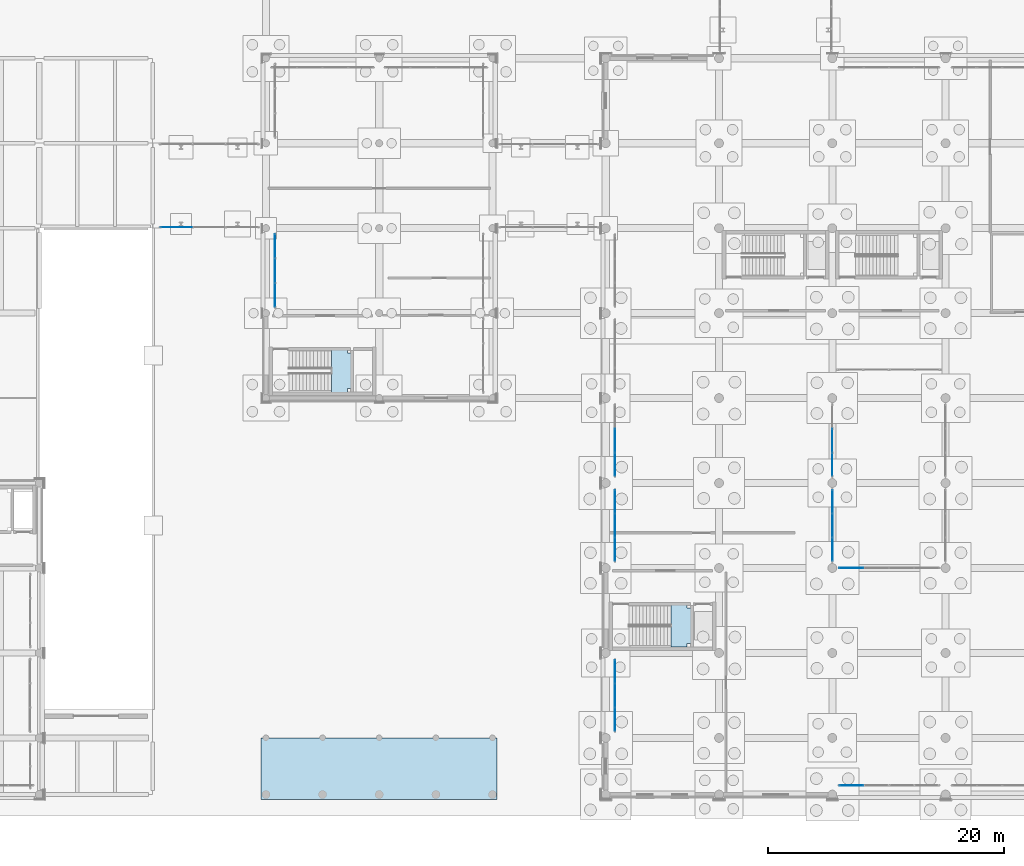
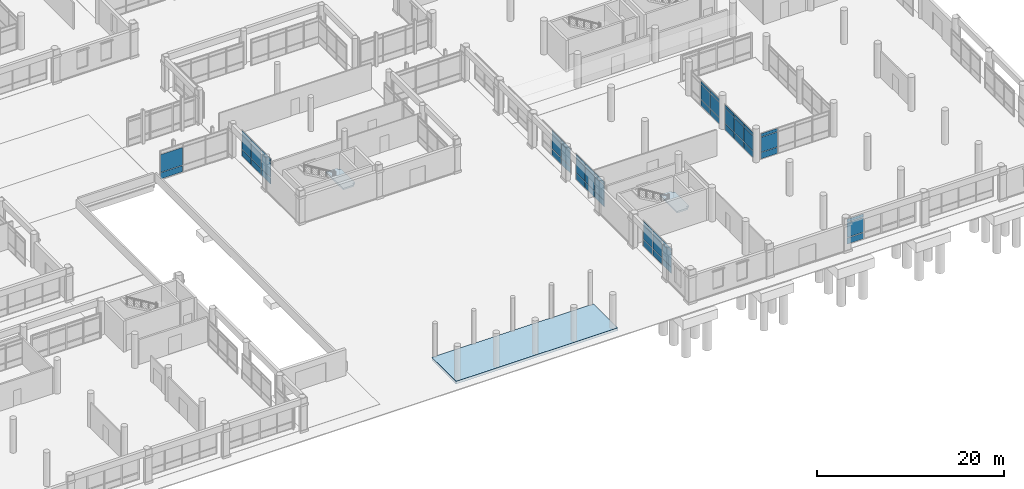
# One storey, part 145 of 196: 56 plates, 3 slabs, 11 elements without a shape of their own.
"""IFC4 building model written with IfcOpenShell, lengths in metres."""

from ifc_helpers import new_model, si_unit, direction, frame, origin, origin_2d, place, context, subcontext, project, spatial, polyline, rectangle, outline, extrude, material, layer, layer_set, type_object, element, aggregate, save


model = new_model("IFC4")

# Units and contexts
model_context = context("Model", 3, precision=1e-05, world=origin(), true_north=direction((0.0, 1.0)))
body_context = subcontext(model_context, "Body", "Model", "MODEL_VIEW")
ifc_project = project(units=[si_unit("LENGTHUNIT", "METRE"), si_unit("AREAUNIT", "SQUARE_METRE"), si_unit("VOLUMEUNIT", "CUBIC_METRE"), si_unit("PLANEANGLEUNIT", "RADIAN"), si_unit("MASSUNIT", "GRAM", prefix="KILO")], contexts=[model_context])

# Site, building, storey
site_placement = place(None, origin())
site = spatial("IfcSite", under=ifc_project, at=site_placement, CompositionType="ELEMENT")
building_placement = place(site_placement, origin())
building = spatial("IfcBuilding", under=site, at=building_placement, Name="Asteropetra Specialist Clinic", CompositionType="ELEMENT")
storey_placement = place(building_placement, origin())
storey = spatial("IfcBuildingStorey", under=building, at=storey_placement, Name="L00", CompositionType="ELEMENT", Elevation=0.0)

# Curtain wall, plates
ifc_material_1 = material(Name="Aluminium and low-E glass", Category="aluminium")
ifc_layer_1 = layer(ifc_material_1, 0.135009765625)
ifc_layer_set_1 = layer_set([ifc_layer_1], Name="Aluminium and low-E glass")
curtain_wall_type_1 = type_object("IfcCurtainWallType", Name="CW-SYS-09", PredefinedType="USERDEFINED", material=ifc_layer_set_1)
curtain_wall_1_placement = place(storey_placement, origin())
curtain_wall_1 = element("IfcCurtainWall", 1, at=curtain_wall_1_placement, inside=storey, type_object=curtain_wall_type_1, Name="Curtain Wall CW-192", ObjectType="STICK GLAZED COLONNADE", PredefinedType="USERDEFINED")
ifc_material_2 = material(Name="Low-E double glazing", Category="glass")
ifc_layer_2 = layer(ifc_material_2, 0.028076171875)
ifc_layer_set_2 = layer_set([ifc_layer_2], Name="Low-E double glazing")
plate_type_1 = type_object("IfcPlateType", Name="CWP-GLZ-28", PredefinedType="CURTAIN_PANEL", material=ifc_layer_set_2)
plate_1_placement = place(storey_placement, frame((126.419921875, 0.780029296875, 0.074951171875), z_axis=(0.0, 0.0, 1.0), x_axis=(1.0, 0.0, 0.0)))
plate_1 = element("IfcPlate", 2, at=plate_1_placement, type_object=plate_type_1, Name="CW-192 panel 1.1", PredefinedType="CURTAIN_PANEL", context=body_context, shape_type="SweptSolid", body=[
    extrude(rectangle(XDim=2.02001953125, YDim=0.028076171875, at=origin_2d()), origin(), (0.0, 0.0, 1.0), 0.78759765625),
])
plate_2_placement = place(storey_placement, frame((126.419921875, 0.780029296875, 0.9375), z_axis=(0.0, 0.0, 1.0), x_axis=(1.0, 0.0, 0.0)))
plate_2 = element("IfcPlate", 3, at=plate_2_placement, type_object=plate_type_1, Name="CW-192 panel 1.2", PredefinedType="CURTAIN_PANEL", context=body_context, shape_type="SweptSolid", body=[
    extrude(rectangle(XDim=2.02001953125, YDim=0.028076171875, at=origin_2d()), origin(), (0.0, 0.0, 1.0), 1.925048828125),
])
plate_3_placement = place(storey_placement, frame((126.419921875, 0.780029296875, 2.9375), z_axis=(0.0, 0.0, 1.0), x_axis=(1.0, 0.0, 0.0)))
plate_3 = element("IfcPlate", 4, at=plate_3_placement, type_object=plate_type_1, Name="CW-192 panel 1.3", PredefinedType="CURTAIN_PANEL", context=body_context, shape_type="SweptSolid", body=[
    extrude(rectangle(XDim=2.02001953125, YDim=0.028076171875, at=origin_2d()), origin(), (0.0, 0.0, 1.0), 0.387451171875),
])
aggregate(curtain_wall_1, [plate_1, plate_2, plate_3])

ifc_material_3 = material(Name="Aluminium and low-E glass", Category="aluminium")
ifc_layer_3 = layer(ifc_material_3, 0.179931640625)
ifc_layer_set_3 = layer_set([ifc_layer_3], Name="Aluminium and low-E glass")
curtain_wall_type_2 = type_object("IfcCurtainWallType", Name="CW-SYS-10", PredefinedType="USERDEFINED", material=ifc_layer_set_3)
curtain_wall_2_placement = place(storey_placement, origin())
curtain_wall_2 = element("IfcCurtainWall", 5, at=curtain_wall_2_placement, inside=storey, type_object=curtain_wall_type_2, Name="Curtain Wall CW-196", ObjectType="STICK GLAZED COLONNADE", PredefinedType="USERDEFINED")
plate_4_placement = place(storey_placement, frame((106.3798828125, 10.427001953125, 0.06494140625), z_axis=(0.0, 0.0, 1.0), x_axis=(0.0, -1.0, 0.0)))
plate_4 = element("IfcPlate", 6, at=plate_4_placement, type_object=plate_type_1, Name="CW-196 panel 1.1", PredefinedType="CURTAIN_PANEL", context=body_context, shape_type="SweptSolid", body=[
    extrude(rectangle(XDim=1.94580078125, YDim=0.028076171875, at=origin_2d()), origin(), (0.0, 0.0, 1.0), 0.802490234375),
])
plate_5_placement = place(storey_placement, frame((106.3798828125, 10.427001953125, 0.932373046875), z_axis=(0.0, 0.0, 1.0), x_axis=(0.0, -1.0, 0.0)))
plate_5 = element("IfcPlate", 7, at=plate_5_placement, type_object=plate_type_1, Name="CW-196 panel 1.2", PredefinedType="CURTAIN_PANEL", context=body_context, shape_type="SweptSolid", body=[
    extrude(rectangle(XDim=1.94580078125, YDim=0.028076171875, at=origin_2d()), origin(), (0.0, 0.0, 1.0), 1.93505859375),
])
plate_6_placement = place(storey_placement, frame((106.3798828125, 10.427001953125, 2.9326171875), z_axis=(0.0, 0.0, 1.0), x_axis=(0.0, -1.0, 0.0)))
plate_6 = element("IfcPlate", 8, at=plate_6_placement, type_object=plate_type_1, Name="CW-196 panel 1.3", PredefinedType="CURTAIN_PANEL", context=body_context, shape_type="SweptSolid", body=[
    extrude(rectangle(XDim=1.94580078125, YDim=0.028076171875, at=origin_2d()), origin(), (0.0, 0.0, 1.0), 0.402587890625),
])
plate_7_placement = place(storey_placement, frame((106.3798828125, 8.39990234375, 0.06494140625), z_axis=(0.0, 0.0, 1.0), x_axis=(0.0, -1.0, 0.0)))
plate_7 = element("IfcPlate", 9, at=plate_7_placement, type_object=plate_type_1, Name="CW-196 panel 2.1", PredefinedType="CURTAIN_PANEL", context=body_context, shape_type="SweptSolid", body=[
    extrude(rectangle(XDim=1.978271484375, YDim=0.028076171875, at=origin_2d()), origin(), (0.0, 0.0, 1.0), 0.802490234375),
])
plate_8_placement = place(storey_placement, frame((106.3798828125, 8.39990234375, 0.932373046875), z_axis=(0.0, 0.0, 1.0), x_axis=(0.0, -1.0, 0.0)))
plate_8 = element("IfcPlate", 10, at=plate_8_placement, type_object=plate_type_1, Name="CW-196 panel 2.2", PredefinedType="CURTAIN_PANEL", context=body_context, shape_type="SweptSolid", body=[
    extrude(rectangle(XDim=1.978271484375, YDim=0.028076171875, at=origin_2d()), origin(), (0.0, 0.0, 1.0), 1.93505859375),
])
plate_9_placement = place(storey_placement, frame((106.3798828125, 8.39990234375, 2.9326171875), z_axis=(0.0, 0.0, 1.0), x_axis=(0.0, -1.0, 0.0)))
plate_9 = element("IfcPlate", 11, at=plate_9_placement, type_object=plate_type_1, Name="CW-196 panel 2.3", PredefinedType="CURTAIN_PANEL", context=body_context, shape_type="SweptSolid", body=[
    extrude(rectangle(XDim=1.978271484375, YDim=0.028076171875, at=origin_2d()), origin(), (0.0, 0.0, 1.0), 0.402587890625),
])
plate_10_placement = place(storey_placement, frame((106.3798828125, 6.372802734375, 0.06494140625), z_axis=(0.0, 0.0, 1.0), x_axis=(0.0, -1.0, 0.0)))
plate_10 = element("IfcPlate", 12, at=plate_10_placement, type_object=plate_type_1, Name="CW-196 panel 3.1", PredefinedType="CURTAIN_PANEL", context=body_context, shape_type="SweptSolid", body=[
    extrude(rectangle(XDim=1.94580078125, YDim=0.028076171875, at=origin_2d()), origin(), (0.0, 0.0, 1.0), 0.802490234375),
])
plate_11_placement = place(storey_placement, frame((106.3798828125, 6.372802734375, 0.932373046875), z_axis=(0.0, 0.0, 1.0), x_axis=(0.0, -1.0, 0.0)))
plate_11 = element("IfcPlate", 13, at=plate_11_placement, type_object=plate_type_1, Name="CW-196 panel 3.2", PredefinedType="CURTAIN_PANEL", context=body_context, shape_type="SweptSolid", body=[
    extrude(rectangle(XDim=1.94580078125, YDim=0.028076171875, at=origin_2d()), origin(), (0.0, 0.0, 1.0), 1.93505859375),
])
plate_12_placement = place(storey_placement, frame((106.3798828125, 6.372802734375, 2.9326171875), z_axis=(0.0, 0.0, 1.0), x_axis=(0.0, -1.0, 0.0)))
plate_12 = element("IfcPlate", 14, at=plate_12_placement, type_object=plate_type_1, Name="CW-196 panel 3.3", PredefinedType="CURTAIN_PANEL", context=body_context, shape_type="SweptSolid", body=[
    extrude(rectangle(XDim=1.94580078125, YDim=0.028076171875, at=origin_2d()), origin(), (0.0, 0.0, 1.0), 0.402587890625),
])
aggregate(curtain_wall_2, [plate_4, plate_5, plate_6, plate_7, plate_8, plate_9, plate_10, plate_11, plate_12])

ifc_material_4 = material(Name="Aluminium and low-E glass", Category="aluminium")
ifc_layer_4 = layer(ifc_material_4, 0.14990234375)
ifc_layer_set_4 = layer_set([ifc_layer_4], Name="Aluminium and low-E glass")
curtain_wall_type_3 = type_object("IfcCurtainWallType", Name="CW-SYS-08", PredefinedType="USERDEFINED", material=ifc_layer_set_4)
curtain_wall_3_placement = place(storey_placement, origin())
curtain_wall_3 = element("IfcCurtainWall", 15, at=curtain_wall_3_placement, inside=storey, type_object=curtain_wall_type_3, Name="Curtain Wall CW-065", ObjectType="STICK GLAZED COLONNADE", PredefinedType="USERDEFINED")
ifc_material_5 = material(Name="Low-E acoustic double glazing", Category="glass")
ifc_layer_5 = layer(ifc_material_5, 0.031982421875)
ifc_layer_set_5 = layer_set([ifc_layer_5], Name="Low-E acoustic double glazing")
plate_type_2 = type_object("IfcPlateType", Name="CWP-GLZ-32", PredefinedType="CURTAIN_PANEL", material=ifc_layer_set_5)
plate_13_placement = place(storey_placement, frame((126.416259765625, 19.199951171875, 0.06005859375), z_axis=(0.0, 0.0, 1.0), x_axis=(1.0, 0.0, 0.0)))
plate_13 = element("IfcPlate", 16, at=plate_13_placement, type_object=plate_type_2, Name="CW-065 panel 1.1", PredefinedType="CURTAIN_PANEL", context=body_context, shape_type="SweptSolid", body=[
    extrude(rectangle(XDim=2.04248046875, YDim=0.031982421875, at=origin_2d()), origin(), (0.0, 0.0, 1.0), 0.81005859375),
])
plate_14_placement = place(storey_placement, frame((126.416259765625, 19.199951171875, 0.929931640625), z_axis=(0.0, 0.0, 1.0), x_axis=(1.0, 0.0, 0.0)))
plate_14 = element("IfcPlate", 17, at=plate_14_placement, type_object=plate_type_2, Name="CW-065 panel 1.2", PredefinedType="CURTAIN_PANEL", context=body_context, shape_type="SweptSolid", body=[
    extrude(rectangle(XDim=2.04248046875, YDim=0.031982421875, at=origin_2d()), origin(), (0.0, 0.0, 1.0), 1.93994140625),
])
plate_15_placement = place(storey_placement, frame((126.416259765625, 19.199951171875, 2.93017578125), z_axis=(0.0, 0.0, 1.0), x_axis=(1.0, 0.0, 0.0)))
plate_15 = element("IfcPlate", 18, at=plate_15_placement, type_object=plate_type_2, Name="CW-065 panel 1.3", PredefinedType="CURTAIN_PANEL", context=body_context, shape_type="SweptSolid", body=[
    extrude(rectangle(XDim=2.04248046875, YDim=0.031982421875, at=origin_2d()), origin(), (0.0, 0.0, 1.0), 0.409912109375),
])
aggregate(curtain_wall_3, [plate_13, plate_14, plate_15])

ifc_material_6 = material(Name="Aluminium and low-E glass", Category="aluminium")
ifc_layer_6 = layer(ifc_material_6, 0.14990234375)
ifc_layer_set_6 = layer_set([ifc_layer_6], Name="Aluminium and low-E glass")
curtain_wall_type_4 = type_object("IfcCurtainWallType", Name="CW-SYS-11", PredefinedType="USERDEFINED", material=ifc_layer_set_6)
curtain_wall_4_placement = place(storey_placement, origin())
curtain_wall_4 = element("IfcCurtainWall", 19, at=curtain_wall_4_placement, inside=storey, type_object=curtain_wall_type_4, Name="Curtain Wall CW-069", ObjectType="STICK GLAZED COLONNADE", PredefinedType="USERDEFINED")
plate_16_placement = place(storey_placement, frame((124.800048828125, 30.0, 0.074951171875), z_axis=(0.0, 0.0, 1.0), x_axis=(0.0, -1.0, 0.0)))
plate_16 = element("IfcPlate", 20, at=plate_16_placement, type_object=plate_type_2, Name="CW-069 panel 2.1", PredefinedType="CURTAIN_PANEL", context=body_context, shape_type="SweptSolid", body=[
    extrude(rectangle(XDim=1.96826171875, YDim=0.031982421875, at=origin_2d()), origin(), (0.0, 0.0, 1.0), 0.78759765625),
])
plate_17_placement = place(storey_placement, frame((124.800048828125, 30.0, 0.9375), z_axis=(0.0, 0.0, 1.0), x_axis=(0.0, -1.0, 0.0)))
plate_17 = element("IfcPlate", 21, at=plate_17_placement, type_object=plate_type_2, Name="CW-069 panel 2.2", PredefinedType="CURTAIN_PANEL", context=body_context, shape_type="SweptSolid", body=[
    extrude(rectangle(XDim=1.96826171875, YDim=0.031982421875, at=origin_2d()), origin(), (0.0, 0.0, 1.0), 1.925048828125),
])
plate_18_placement = place(storey_placement, frame((124.800048828125, 30.0, 2.9375), z_axis=(0.0, 0.0, 1.0), x_axis=(0.0, -1.0, 0.0)))
plate_18 = element("IfcPlate", 22, at=plate_18_placement, type_object=plate_type_2, Name="CW-069 panel 2.3", PredefinedType="CURTAIN_PANEL", context=body_context, shape_type="SweptSolid", body=[
    extrude(rectangle(XDim=1.96826171875, YDim=0.031982421875, at=origin_2d()), origin(), (0.0, 0.0, 1.0), 0.387451171875),
])
plate_19_placement = place(storey_placement, frame((124.800048828125, 27.975341796875, 0.074951171875), z_axis=(0.0, 0.0, 1.0), x_axis=(0.0, -1.0, 0.0)))
plate_19 = element("IfcPlate", 23, at=plate_19_placement, type_object=plate_type_2, Name="CW-069 panel 3.1", PredefinedType="CURTAIN_PANEL", context=body_context, shape_type="SweptSolid", body=[
    extrude(rectangle(XDim=1.930908203125, YDim=0.031982421875, at=origin_2d()), origin(), (0.0, 0.0, 1.0), 0.78759765625),
])
plate_20_placement = place(storey_placement, frame((124.800048828125, 27.975341796875, 0.9375), z_axis=(0.0, 0.0, 1.0), x_axis=(0.0, -1.0, 0.0)))
plate_20 = element("IfcPlate", 24, at=plate_20_placement, type_object=plate_type_2, Name="CW-069 panel 3.2", PredefinedType="CURTAIN_PANEL", context=body_context, shape_type="SweptSolid", body=[
    extrude(rectangle(XDim=1.930908203125, YDim=0.031982421875, at=origin_2d()), origin(), (0.0, 0.0, 1.0), 1.925048828125),
])
plate_21_placement = place(storey_placement, frame((124.800048828125, 27.975341796875, 2.9375), z_axis=(0.0, 0.0, 1.0), x_axis=(0.0, -1.0, 0.0)))
plate_21 = element("IfcPlate", 25, at=plate_21_placement, type_object=plate_type_2, Name="CW-069 panel 3.3", PredefinedType="CURTAIN_PANEL", context=body_context, shape_type="SweptSolid", body=[
    extrude(rectangle(XDim=1.930908203125, YDim=0.031982421875, at=origin_2d()), origin(), (0.0, 0.0, 1.0), 0.387451171875),
])
aggregate(curtain_wall_4, [plate_16, plate_17, plate_18, plate_19, plate_20, plate_21])

ifc_material_7 = material(Name="Aluminium and low-E glass", Category="aluminium")
ifc_layer_7 = layer(ifc_material_7, 0.14990234375)
ifc_layer_set_7 = layer_set([ifc_layer_7], Name="Aluminium and low-E glass")
curtain_wall_type_5 = type_object("IfcCurtainWallType", Name="CW-SYS-02", PredefinedType="USERDEFINED", material=ifc_layer_set_7)
curtain_wall_5_placement = place(storey_placement, origin())
curtain_wall_5 = element("IfcCurtainWall", 26, at=curtain_wall_5_placement, inside=storey, type_object=curtain_wall_type_5, Name="Curtain Wall CW-113", ObjectType="UNITISED CURTAIN WALL", PredefinedType="USERDEFINED")
plate_22_placement = place(storey_placement, frame((69.2216796875, 48.080078125, 0.06005859375), z_axis=(0.0, 0.0, 1.0), x_axis=(1.0, 0.0, 0.0)))
plate_22 = element("IfcPlate", 27, at=plate_22_placement, type_object=plate_type_2, Name="CW-113 panel 1.1", PredefinedType="CURTAIN_PANEL", context=body_context, shape_type="SweptSolid", body=[
    extrude(rectangle(XDim=2.703369140625, YDim=0.031982421875, at=origin_2d()), origin(), (0.0, 0.0, 1.0), 0.81005859375),
])
plate_23_placement = place(storey_placement, frame((69.2216796875, 48.080078125, 0.929931640625), z_axis=(0.0, 0.0, 1.0), x_axis=(1.0, 0.0, 0.0)))
plate_23 = element("IfcPlate", 28, at=plate_23_placement, type_object=plate_type_2, Name="CW-113 panel 1.2", PredefinedType="CURTAIN_PANEL", context=body_context, shape_type="SweptSolid", body=[
    extrude(rectangle(XDim=2.703369140625, YDim=0.031982421875, at=origin_2d()), origin(), (0.0, 0.0, 1.0), 2.31005859375),
])
aggregate(curtain_wall_5, [plate_22, plate_23])

curtain_wall_6_placement = place(storey_placement, origin())
curtain_wall_6 = element("IfcCurtainWall", 29, at=curtain_wall_6_placement, inside=storey, type_object=curtain_wall_type_2, Name="Curtain Wall CW-169", ObjectType="STICK GLAZED COLONNADE", PredefinedType="USERDEFINED")
plate_24_placement = place(storey_placement, frame((77.580078125, 46.47705078125, 0.06494140625), z_axis=(0.0, 0.0, 1.0), x_axis=(0.0, -1.0, 0.0)))
plate_24 = element("IfcPlate", 30, at=plate_24_placement, type_object=plate_type_2, Name="CW-169 panel 1.1", PredefinedType="CURTAIN_PANEL", context=body_context, shape_type="SweptSolid", body=[
    extrude(rectangle(XDim=1.995849609375, YDim=0.031982421875, at=origin_2d()), origin(), (0.0, 0.0, 1.0), 0.802490234375),
])
plate_25_placement = place(storey_placement, frame((77.580078125, 46.47705078125, 0.932373046875), z_axis=(0.0, 0.0, 1.0), x_axis=(0.0, -1.0, 0.0)))
plate_25 = element("IfcPlate", 31, at=plate_25_placement, type_object=plate_type_2, Name="CW-169 panel 1.2", PredefinedType="CURTAIN_PANEL", context=body_context, shape_type="SweptSolid", body=[
    extrude(rectangle(XDim=1.995849609375, YDim=0.031982421875, at=origin_2d()), origin(), (0.0, 0.0, 1.0), 1.97509765625),
])
plate_26_placement = place(storey_placement, frame((77.580078125, 46.47705078125, 2.97265625), z_axis=(0.0, 0.0, 1.0), x_axis=(0.0, -1.0, 0.0)))
plate_26 = element("IfcPlate", 32, at=plate_26_placement, type_object=plate_type_2, Name="CW-169 panel 1.3", PredefinedType="CURTAIN_PANEL", context=body_context, shape_type="SweptSolid", body=[
    extrude(rectangle(XDim=1.995849609375, YDim=0.031982421875, at=origin_2d()), origin(), (0.0, 0.0, 1.0), 0.402587890625),
])
plate_27_placement = place(storey_placement, frame((77.580078125, 44.39990234375, 0.06494140625), z_axis=(0.0, 0.0, 1.0), x_axis=(0.0, -1.0, 0.0)))
plate_27 = element("IfcPlate", 33, at=plate_27_placement, type_object=plate_type_2, Name="CW-169 panel 2.1", PredefinedType="CURTAIN_PANEL", context=body_context, shape_type="SweptSolid", body=[
    extrude(rectangle(XDim=2.0283203125, YDim=0.031982421875, at=origin_2d()), origin(), (0.0, 0.0, 1.0), 0.802490234375),
])
plate_28_placement = place(storey_placement, frame((77.580078125, 44.39990234375, 0.932373046875), z_axis=(0.0, 0.0, 1.0), x_axis=(0.0, -1.0, 0.0)))
plate_28 = element("IfcPlate", 34, at=plate_28_placement, type_object=plate_type_2, Name="CW-169 panel 2.2", PredefinedType="CURTAIN_PANEL", context=body_context, shape_type="SweptSolid", body=[
    extrude(rectangle(XDim=2.0283203125, YDim=0.031982421875, at=origin_2d()), origin(), (0.0, 0.0, 1.0), 1.97509765625),
])
plate_29_placement = place(storey_placement, frame((77.580078125, 44.39990234375, 2.97265625), z_axis=(0.0, 0.0, 1.0), x_axis=(0.0, -1.0, 0.0)))
plate_29 = element("IfcPlate", 35, at=plate_29_placement, type_object=plate_type_2, Name="CW-169 panel 2.3", PredefinedType="CURTAIN_PANEL", context=body_context, shape_type="SweptSolid", body=[
    extrude(rectangle(XDim=2.0283203125, YDim=0.031982421875, at=origin_2d()), origin(), (0.0, 0.0, 1.0), 0.402587890625),
])
plate_30_placement = place(storey_placement, frame((77.580078125, 42.322998046875, 0.06494140625), z_axis=(0.0, 0.0, 1.0), x_axis=(0.0, -1.0, 0.0)))
plate_30 = element("IfcPlate", 36, at=plate_30_placement, type_object=plate_type_2, Name="CW-169 panel 3.1", PredefinedType="CURTAIN_PANEL", context=body_context, shape_type="SweptSolid", body=[
    extrude(rectangle(XDim=1.995849609375, YDim=0.031982421875, at=origin_2d()), origin(), (0.0, 0.0, 1.0), 0.802490234375),
])
plate_31_placement = place(storey_placement, frame((77.580078125, 42.322998046875, 0.932373046875), z_axis=(0.0, 0.0, 1.0), x_axis=(0.0, -1.0, 0.0)))
plate_31 = element("IfcPlate", 37, at=plate_31_placement, type_object=plate_type_2, Name="CW-169 panel 3.2", PredefinedType="CURTAIN_PANEL", context=body_context, shape_type="SweptSolid", body=[
    extrude(rectangle(XDim=1.995849609375, YDim=0.031982421875, at=origin_2d()), origin(), (0.0, 0.0, 1.0), 1.97509765625),
])
plate_32_placement = place(storey_placement, frame((77.580078125, 42.322998046875, 2.97265625), z_axis=(0.0, 0.0, 1.0), x_axis=(0.0, -1.0, 0.0)))
plate_32 = element("IfcPlate", 38, at=plate_32_placement, type_object=plate_type_2, Name="CW-169 panel 3.3", PredefinedType="CURTAIN_PANEL", context=body_context, shape_type="SweptSolid", body=[
    extrude(rectangle(XDim=1.995849609375, YDim=0.031982421875, at=origin_2d()), origin(), (0.0, 0.0, 1.0), 0.402587890625),
])
aggregate(curtain_wall_6, [plate_24, plate_25, plate_26, plate_27, plate_28, plate_29, plate_30, plate_31, plate_32])

ifc_material_8 = material(Name="Aluminium and low-E glass", Category="aluminium")
ifc_layer_8 = layer(ifc_material_8, 0.135009765625)
ifc_layer_set_8 = layer_set([ifc_layer_8], Name="Aluminium and low-E glass")
curtain_wall_type_6 = type_object("IfcCurtainWallType", Name="CW-SYS-12", PredefinedType="USERDEFINED", material=ifc_layer_set_8)
curtain_wall_7_placement = place(storey_placement, origin())
curtain_wall_7 = element("IfcCurtainWall", 39, at=curtain_wall_7_placement, inside=storey, type_object=curtain_wall_type_6, Name="Curtain Wall CW-201", ObjectType="STICK GLAZED COLONNADE", PredefinedType="USERDEFINED")
plate_33_placement = place(storey_placement, frame((106.3798828125, 30.0, 0.074951171875), z_axis=(0.0, 0.0, 1.0), x_axis=(0.0, -1.0, 0.0)))
plate_33 = element("IfcPlate", 40, at=plate_33_placement, type_object=plate_type_2, Name="CW-201 panel 2.1", PredefinedType="CURTAIN_PANEL", context=body_context, shape_type="SweptSolid", body=[
    extrude(rectangle(XDim=1.96826171875, YDim=0.031982421875, at=origin_2d()), origin(), (0.0, 0.0, 1.0), 0.78759765625),
])
plate_34_placement = place(storey_placement, frame((106.3798828125, 30.0, 0.9375), z_axis=(0.0, 0.0, 1.0), x_axis=(0.0, -1.0, 0.0)))
plate_34 = element("IfcPlate", 41, at=plate_34_placement, type_object=plate_type_2, Name="CW-201 panel 2.2", PredefinedType="CURTAIN_PANEL", context=body_context, shape_type="SweptSolid", body=[
    extrude(rectangle(XDim=1.96826171875, YDim=0.031982421875, at=origin_2d()), origin(), (0.0, 0.0, 1.0), 1.925048828125),
])
plate_35_placement = place(storey_placement, frame((106.3798828125, 30.0, 2.9375), z_axis=(0.0, 0.0, 1.0), x_axis=(0.0, -1.0, 0.0)))
plate_35 = element("IfcPlate", 42, at=plate_35_placement, type_object=plate_type_2, Name="CW-201 panel 2.3", PredefinedType="CURTAIN_PANEL", context=body_context, shape_type="SweptSolid", body=[
    extrude(rectangle(XDim=1.96826171875, YDim=0.031982421875, at=origin_2d()), origin(), (0.0, 0.0, 1.0), 0.387451171875),
])
plate_36_placement = place(storey_placement, frame((106.3798828125, 27.975341796875, 0.074951171875), z_axis=(0.0, 0.0, 1.0), x_axis=(0.0, -1.0, 0.0)))
plate_36 = element("IfcPlate", 43, at=plate_36_placement, type_object=plate_type_2, Name="CW-201 panel 3.1", PredefinedType="CURTAIN_PANEL", context=body_context, shape_type="SweptSolid", body=[
    extrude(rectangle(XDim=1.930908203125, YDim=0.031982421875, at=origin_2d()), origin(), (0.0, 0.0, 1.0), 0.78759765625),
])
plate_37_placement = place(storey_placement, frame((106.3798828125, 27.975341796875, 0.9375), z_axis=(0.0, 0.0, 1.0), x_axis=(0.0, -1.0, 0.0)))
plate_37 = element("IfcPlate", 44, at=plate_37_placement, type_object=plate_type_2, Name="CW-201 panel 3.2", PredefinedType="CURTAIN_PANEL", context=body_context, shape_type="SweptSolid", body=[
    extrude(rectangle(XDim=1.930908203125, YDim=0.031982421875, at=origin_2d()), origin(), (0.0, 0.0, 1.0), 1.925048828125),
])
plate_38_placement = place(storey_placement, frame((106.3798828125, 27.975341796875, 2.9375), z_axis=(0.0, 0.0, 1.0), x_axis=(0.0, -1.0, 0.0)))
plate_38 = element("IfcPlate", 45, at=plate_38_placement, type_object=plate_type_2, Name="CW-201 panel 3.3", PredefinedType="CURTAIN_PANEL", context=body_context, shape_type="SweptSolid", body=[
    extrude(rectangle(XDim=1.930908203125, YDim=0.031982421875, at=origin_2d()), origin(), (0.0, 0.0, 1.0), 0.387451171875),
])
aggregate(curtain_wall_7, [plate_33, plate_34, plate_35, plate_36, plate_37, plate_38])

curtain_wall_8_placement = place(storey_placement, origin())
curtain_wall_8 = element("IfcCurtainWall", 46, at=curtain_wall_8_placement, inside=storey, type_object=curtain_wall_type_2, Name="Curtain Wall CW-067", ObjectType="STICK GLAZED COLONNADE", PredefinedType="USERDEFINED")
ifc_material_9 = material(Name="Laminated skylight glazing", Category="glass")
ifc_layer_9 = layer(ifc_material_9, 0.0400390625)
ifc_layer_set_9 = layer_set([ifc_layer_9], Name="Laminated skylight glazing")
plate_type_3 = type_object("IfcPlateType", Name="CWP-GLZ-40", PredefinedType="CURTAIN_PANEL", material=ifc_layer_set_9)
plate_39_placement = place(storey_placement, frame((124.800048828125, 24.8271484375, 0.06494140625), z_axis=(0.0, 0.0, 1.0), x_axis=(0.0, -1.0, 0.0)))
plate_39 = element("IfcPlate", 47, at=plate_39_placement, type_object=plate_type_3, Name="CW-067 panel 1.1", PredefinedType="CURTAIN_PANEL", context=body_context, shape_type="SweptSolid", body=[
    extrude(rectangle(XDim=1.94580078125, YDim=0.0400390625, at=origin_2d()), origin(), (0.0, 0.0, 1.0), 0.802490234375),
])
plate_40_placement = place(storey_placement, frame((124.800048828125, 24.8271484375, 0.932373046875), z_axis=(0.0, 0.0, 1.0), x_axis=(0.0, -1.0, 0.0)))
plate_40 = element("IfcPlate", 48, at=plate_40_placement, type_object=plate_type_3, Name="CW-067 panel 1.2", PredefinedType="CURTAIN_PANEL", context=body_context, shape_type="SweptSolid", body=[
    extrude(rectangle(XDim=1.94580078125, YDim=0.0400390625, at=origin_2d()), origin(), (0.0, 0.0, 1.0), 1.93505859375),
])
plate_41_placement = place(storey_placement, frame((124.800048828125, 24.8271484375, 2.9326171875), z_axis=(0.0, 0.0, 1.0), x_axis=(0.0, -1.0, 0.0)))
plate_41 = element("IfcPlate", 49, at=plate_41_placement, type_object=plate_type_3, Name="CW-067 panel 1.3", PredefinedType="CURTAIN_PANEL", context=body_context, shape_type="SweptSolid", body=[
    extrude(rectangle(XDim=1.94580078125, YDim=0.0400390625, at=origin_2d()), origin(), (0.0, 0.0, 1.0), 0.402587890625),
])
plate_42_placement = place(storey_placement, frame((124.800048828125, 22.800048828125, 0.06494140625), z_axis=(0.0, 0.0, 1.0), x_axis=(0.0, -1.0, 0.0)))
plate_42 = element("IfcPlate", 50, at=plate_42_placement, type_object=plate_type_3, Name="CW-067 panel 2.1", PredefinedType="CURTAIN_PANEL", context=body_context, shape_type="SweptSolid", body=[
    extrude(rectangle(XDim=1.978271484375, YDim=0.0400390625, at=origin_2d()), origin(), (0.0, 0.0, 1.0), 0.802490234375),
])
plate_43_placement = place(storey_placement, frame((124.800048828125, 22.800048828125, 0.932373046875), z_axis=(0.0, 0.0, 1.0), x_axis=(0.0, -1.0, 0.0)))
plate_43 = element("IfcPlate", 51, at=plate_43_placement, type_object=plate_type_3, Name="CW-067 panel 2.2", PredefinedType="CURTAIN_PANEL", context=body_context, shape_type="SweptSolid", body=[
    extrude(rectangle(XDim=1.978271484375, YDim=0.0400390625, at=origin_2d()), origin(), (0.0, 0.0, 1.0), 1.93505859375),
])
plate_44_placement = place(storey_placement, frame((124.800048828125, 22.800048828125, 2.9326171875), z_axis=(0.0, 0.0, 1.0), x_axis=(0.0, -1.0, 0.0)))
plate_44 = element("IfcPlate", 52, at=plate_44_placement, type_object=plate_type_3, Name="CW-067 panel 2.3", PredefinedType="CURTAIN_PANEL", context=body_context, shape_type="SweptSolid", body=[
    extrude(rectangle(XDim=1.978271484375, YDim=0.0400390625, at=origin_2d()), origin(), (0.0, 0.0, 1.0), 0.402587890625),
])
plate_45_placement = place(storey_placement, frame((124.800048828125, 20.77294921875, 0.06494140625), z_axis=(0.0, 0.0, 1.0), x_axis=(0.0, -1.0, 0.0)))
plate_45 = element("IfcPlate", 53, at=plate_45_placement, type_object=plate_type_3, Name="CW-067 panel 3.1", PredefinedType="CURTAIN_PANEL", context=body_context, shape_type="SweptSolid", body=[
    extrude(rectangle(XDim=1.94580078125, YDim=0.0400390625, at=origin_2d()), origin(), (0.0, 0.0, 1.0), 0.802490234375),
])
plate_46_placement = place(storey_placement, frame((124.800048828125, 20.77294921875, 0.932373046875), z_axis=(0.0, 0.0, 1.0), x_axis=(0.0, -1.0, 0.0)))
plate_46 = element("IfcPlate", 54, at=plate_46_placement, type_object=plate_type_3, Name="CW-067 panel 3.2", PredefinedType="CURTAIN_PANEL", context=body_context, shape_type="SweptSolid", body=[
    extrude(rectangle(XDim=1.94580078125, YDim=0.0400390625, at=origin_2d()), origin(), (0.0, 0.0, 1.0), 1.93505859375),
])
plate_47_placement = place(storey_placement, frame((124.800048828125, 20.77294921875, 2.9326171875), z_axis=(0.0, 0.0, 1.0), x_axis=(0.0, -1.0, 0.0)))
plate_47 = element("IfcPlate", 55, at=plate_47_placement, type_object=plate_type_3, Name="CW-067 panel 3.3", PredefinedType="CURTAIN_PANEL", context=body_context, shape_type="SweptSolid", body=[
    extrude(rectangle(XDim=1.94580078125, YDim=0.0400390625, at=origin_2d()), origin(), (0.0, 0.0, 1.0), 0.402587890625),
])
aggregate(curtain_wall_8, [plate_39, plate_40, plate_41, plate_42, plate_43, plate_44, plate_45, plate_46, plate_47])

ifc_material_10 = material(Name="Aluminium and low-E glass", Category="aluminium")
ifc_layer_10 = layer(ifc_material_10, 0.179931640625)
ifc_layer_set_10 = layer_set([ifc_layer_10], Name="Aluminium and low-E glass")
curtain_wall_type_7 = type_object("IfcCurtainWallType", Name="CW-SYS-01", PredefinedType="USERDEFINED", material=ifc_layer_set_10)
curtain_wall_9_placement = place(storey_placement, origin())
curtain_wall_9 = element("IfcCurtainWall", 56, at=curtain_wall_9_placement, inside=storey, type_object=curtain_wall_type_7, Name="Curtain Wall CW-199", ObjectType="UNITISED CURTAIN WALL", PredefinedType="USERDEFINED")
plate_48_placement = place(storey_placement, frame((106.3798828125, 24.8271484375, 0.06494140625), z_axis=(0.0, 0.0, 1.0), x_axis=(0.0, -1.0, 0.0)))
plate_48 = element("IfcPlate", 57, at=plate_48_placement, type_object=plate_type_3, Name="CW-199 panel 1.1", PredefinedType="CURTAIN_PANEL", context=body_context, shape_type="SweptSolid", body=[
    extrude(rectangle(XDim=1.94580078125, YDim=0.0400390625, at=origin_2d()), origin(), (0.0, 0.0, 1.0), 0.802490234375),
])
plate_49_placement = place(storey_placement, frame((106.3798828125, 24.8271484375, 0.932373046875), z_axis=(0.0, 0.0, 1.0), x_axis=(0.0, -1.0, 0.0)))
plate_49 = element("IfcPlate", 58, at=plate_49_placement, type_object=plate_type_3, Name="CW-199 panel 1.2", PredefinedType="CURTAIN_PANEL", context=body_context, shape_type="SweptSolid", body=[
    extrude(rectangle(XDim=1.94580078125, YDim=0.0400390625, at=origin_2d()), origin(), (0.0, 0.0, 1.0), 1.93505859375),
])
plate_50_placement = place(storey_placement, frame((106.3798828125, 24.8271484375, 2.9326171875), z_axis=(0.0, 0.0, 1.0), x_axis=(0.0, -1.0, 0.0)))
plate_50 = element("IfcPlate", 59, at=plate_50_placement, type_object=plate_type_3, Name="CW-199 panel 1.3", PredefinedType="CURTAIN_PANEL", context=body_context, shape_type="SweptSolid", body=[
    extrude(rectangle(XDim=1.94580078125, YDim=0.0400390625, at=origin_2d()), origin(), (0.0, 0.0, 1.0), 0.402587890625),
])
plate_51_placement = place(storey_placement, frame((106.3798828125, 22.800048828125, 0.06494140625), z_axis=(0.0, 0.0, 1.0), x_axis=(0.0, -1.0, 0.0)))
plate_51 = element("IfcPlate", 60, at=plate_51_placement, type_object=plate_type_3, Name="CW-199 panel 2.1", PredefinedType="CURTAIN_PANEL", context=body_context, shape_type="SweptSolid", body=[
    extrude(rectangle(XDim=1.978271484375, YDim=0.0400390625, at=origin_2d()), origin(), (0.0, 0.0, 1.0), 0.802490234375),
])
plate_52_placement = place(storey_placement, frame((106.3798828125, 22.800048828125, 0.932373046875), z_axis=(0.0, 0.0, 1.0), x_axis=(0.0, -1.0, 0.0)))
plate_52 = element("IfcPlate", 61, at=plate_52_placement, type_object=plate_type_3, Name="CW-199 panel 2.2", PredefinedType="CURTAIN_PANEL", context=body_context, shape_type="SweptSolid", body=[
    extrude(rectangle(XDim=1.978271484375, YDim=0.0400390625, at=origin_2d()), origin(), (0.0, 0.0, 1.0), 1.93505859375),
])
plate_53_placement = place(storey_placement, frame((106.3798828125, 22.800048828125, 2.9326171875), z_axis=(0.0, 0.0, 1.0), x_axis=(0.0, -1.0, 0.0)))
plate_53 = element("IfcPlate", 62, at=plate_53_placement, type_object=plate_type_3, Name="CW-199 panel 2.3", PredefinedType="CURTAIN_PANEL", context=body_context, shape_type="SweptSolid", body=[
    extrude(rectangle(XDim=1.978271484375, YDim=0.0400390625, at=origin_2d()), origin(), (0.0, 0.0, 1.0), 0.402587890625),
])
plate_54_placement = place(storey_placement, frame((106.3798828125, 20.77294921875, 0.06494140625), z_axis=(0.0, 0.0, 1.0), x_axis=(0.0, -1.0, 0.0)))
plate_54 = element("IfcPlate", 63, at=plate_54_placement, type_object=plate_type_3, Name="CW-199 panel 3.1", PredefinedType="CURTAIN_PANEL", context=body_context, shape_type="SweptSolid", body=[
    extrude(rectangle(XDim=1.94580078125, YDim=0.0400390625, at=origin_2d()), origin(), (0.0, 0.0, 1.0), 0.802490234375),
])
plate_55_placement = place(storey_placement, frame((106.3798828125, 20.77294921875, 0.932373046875), z_axis=(0.0, 0.0, 1.0), x_axis=(0.0, -1.0, 0.0)))
plate_55 = element("IfcPlate", 64, at=plate_55_placement, type_object=plate_type_3, Name="CW-199 panel 3.2", PredefinedType="CURTAIN_PANEL", context=body_context, shape_type="SweptSolid", body=[
    extrude(rectangle(XDim=1.94580078125, YDim=0.0400390625, at=origin_2d()), origin(), (0.0, 0.0, 1.0), 1.93505859375),
])
plate_56_placement = place(storey_placement, frame((106.3798828125, 20.77294921875, 2.9326171875), z_axis=(0.0, 0.0, 1.0), x_axis=(0.0, -1.0, 0.0)))
plate_56 = element("IfcPlate", 65, at=plate_56_placement, type_object=plate_type_3, Name="CW-199 panel 3.3", PredefinedType="CURTAIN_PANEL", context=body_context, shape_type="SweptSolid", body=[
    extrude(rectangle(XDim=1.94580078125, YDim=0.0400390625, at=origin_2d()), origin(), (0.0, 0.0, 1.0), 0.402587890625),
])
aggregate(curtain_wall_9, [plate_48, plate_49, plate_50, plate_51, plate_52, plate_53, plate_54, plate_55, plate_56])

# Slab
ifc_material_11 = material(Name="Concrete C35/45", Category="concrete")
ifc_layer_11 = layer(ifc_material_11, 0.35009765625)
ifc_layer_set_11 = layer_set([ifc_layer_11], Name="Concrete C35/45")
slab_type_1 = type_object("IfcSlabType", Name="SLB-BASE-350", PredefinedType="BASESLAB", material=ifc_layer_set_11)
slab_1_placement = place(storey_placement, frame((0.0, 0.0, -0.35009765625)))
element("IfcSlab", 66, at=slab_1_placement, inside=storey, type_object=slab_type_1, Name="Slab CANOPY-PLINTH L00", PredefinedType="BASESLAB", context=body_context, shape_type="SweptSolid", body=[
    extrude(outline(polyline([(76.39990234375, -0.39990234375), (96.39990234375, -0.39990234375), (96.39990234375, 4.800048828125), (76.39990234375, 4.800048828125), (76.39990234375, -0.39990234375)])), origin(), (0.0, 0.0, 1.0), 0.35009765625),
])

# Stair, slab
ifc_material_12 = material(Name="Concrete C35/45", Category="concrete")
stair_type_1 = type_object("IfcStairType", Name="STR-DOG-165", PredefinedType="TWO_STRAIGHT_RUN_STAIR", material=ifc_material_12)
stair_1_placement = place(storey_placement, origin())
stair_1 = element("IfcStair", 67, at=stair_1_placement, inside=storey, type_object=stair_type_1, Name="Type I Stair ST08-L00", PredefinedType="TWO_STRAIGHT_RUN_STAIR")
ifc_material_13 = material(Name="Concrete C35/45", Category="concrete")
ifc_layer_12 = layer(ifc_material_13, 0.199951171875)
ifc_layer_set_12 = layer_set([ifc_layer_12], Name="Concrete C35/45")
slab_type_2 = type_object("IfcSlabType", Name="SLB-LND-200", PredefinedType="LANDING", material=ifc_layer_set_12)
slab_2_placement = place(storey_placement, frame((0.0, 0.0, 2.010009765625)))
slab_2 = element("IfcSlab", 68, at=slab_2_placement, type_object=slab_type_2, Name="ST08-L00 landing 1", PredefinedType="LANDING", context=body_context, shape_type="SweptSolid", body=[
    extrude(outline(polyline([(111.14990234375, 12.489990234375), (112.5, 12.489990234375), (112.5, 12.81005859375), (112.820068359375, 12.81005859375), (112.820068359375, 15.81005859375), (112.5, 15.81005859375), (112.5, 16.1298828125), (111.14990234375, 16.1298828125), (111.14990234375, 12.489990234375)])), origin(), (0.0, 0.0, 1.0), 0.199951171875),
])
aggregate(stair_1, [slab_2])

ifc_material_14 = material(Name="Concrete C35/45", Category="concrete")
stair_type_2 = type_object("IfcStairType", Name="STR-DOG-150", PredefinedType="TWO_STRAIGHT_RUN_STAIR", material=ifc_material_14)
stair_2_placement = place(storey_placement, origin())
stair_2 = element("IfcStair", 69, at=stair_2_placement, inside=storey, type_object=stair_type_2, Name="Type I Stair ST13-L00", PredefinedType="TWO_STRAIGHT_RUN_STAIR")
slab_3_placement = place(storey_placement, frame((0.0, 0.0, 2.010009765625)))
slab_3 = element("IfcSlab", 70, at=slab_3_placement, type_object=slab_type_2, Name="ST13-L00 landing 1", PredefinedType="LANDING", context=body_context, shape_type="SweptSolid", body=[
    extrude(outline(polyline([(82.35009765625, 34.090087890625), (83.699951171875, 34.090087890625), (83.699951171875, 34.409912109375), (84.02001953125, 34.409912109375), (84.02001953125, 37.409912109375), (83.699951171875, 37.409912109375), (83.699951171875, 37.72998046875), (82.35009765625, 37.72998046875), (82.35009765625, 34.090087890625)])), origin(), (0.0, 0.0, 1.0), 0.199951171875),
])
aggregate(stair_2, [slab_3])

save(model, "model.ifc")
